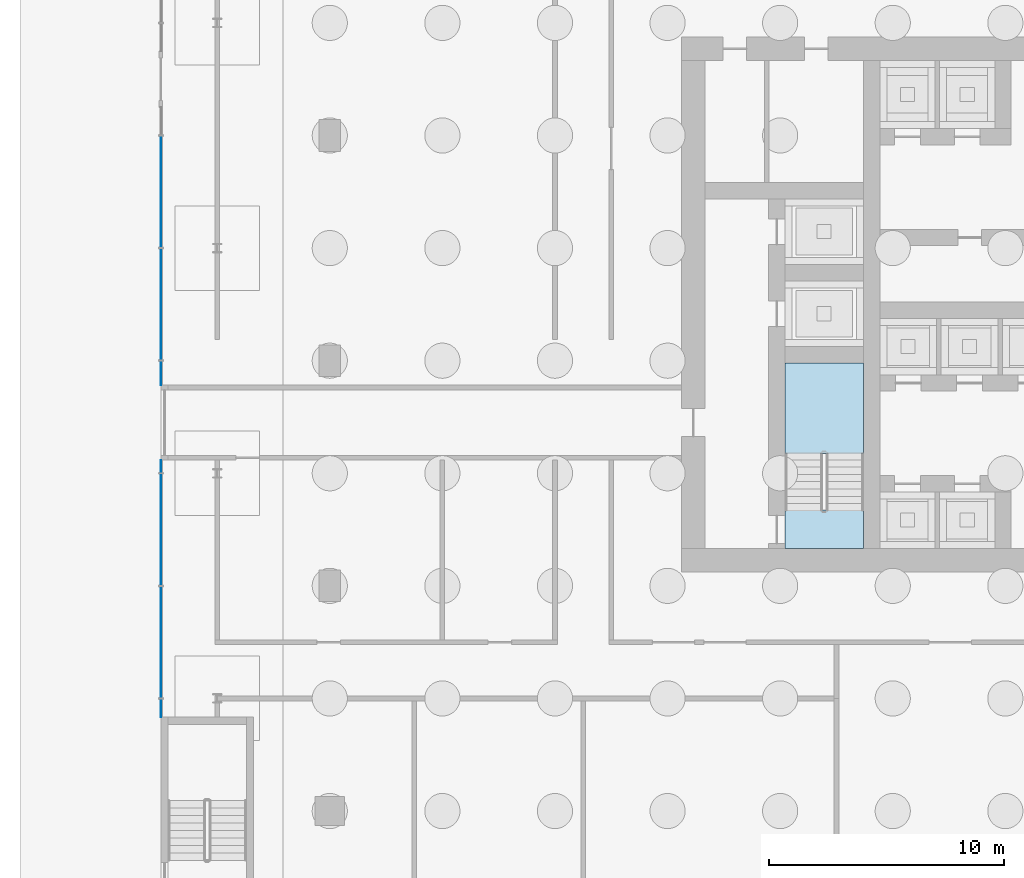
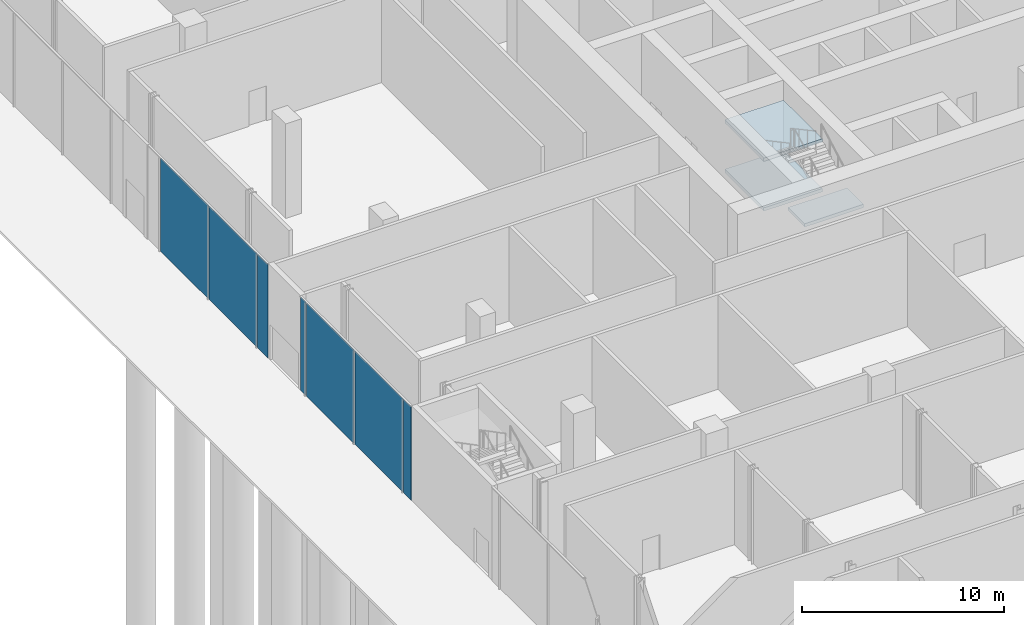
# One storey, part 23 of 44: 7 plates, 3 slabs, 2 elements without a shape of their own.
"""IFC4 building model written with IfcOpenShell, lengths in metres."""

from ifc_helpers import new_model, si_unit, direction, frame, origin, origin_2d, place, context, subcontext, project, spatial, polyline, rectangle, outline, extrude, material, layer, layer_set, type_object, element, aggregate, save


model = new_model("IFC4")

# Units and contexts
model_context = context("Model", 3, precision=1e-05, world=origin(), true_north=direction((0.0, 1.0)))
body_context = subcontext(model_context, "Body", "Model", "MODEL_VIEW")
ifc_project = project(units=[si_unit("LENGTHUNIT", "METRE"), si_unit("AREAUNIT", "SQUARE_METRE"), si_unit("VOLUMEUNIT", "CUBIC_METRE"), si_unit("PLANEANGLEUNIT", "RADIAN"), si_unit("MASSUNIT", "GRAM", prefix="KILO")], contexts=[model_context])

# Site, building, storey
site_placement = place(None, origin())
site = spatial("IfcSite", under=ifc_project, at=site_placement, CompositionType="ELEMENT")
building_placement = place(site_placement, origin())
building = spatial("IfcBuilding", under=site, at=building_placement, Name="Madar Terraces", CompositionType="ELEMENT")
storey_placement = place(building_placement, origin())
storey = spatial("IfcBuildingStorey", under=building, at=storey_placement, Name="L00", CompositionType="ELEMENT", Elevation=0.0)

# Curtain wall, plates
ifc_material_1 = material(Name="Glass, clear low-iron, with black aluminium frame", Category="aluminium")
ifc_layer_1 = layer(ifc_material_1, 0.199951171875)
ifc_layer_set_1 = layer_set([ifc_layer_1], Name="Facade curtain wall, shopfront glazing")
curtain_wall_type = type_object("IfcCurtainWallType", Name="Facade curtain wall, shopfront glazing", PredefinedType="NOTDEFINED", material=ifc_layer_set_1)
curtain_wall_placement = place(storey_placement, origin())
curtain_wall = element("IfcCurtainWall", 1, at=curtain_wall_placement, inside=storey, type_object=curtain_wall_type, Name="Outer skin curtain wall west bay 1", PredefinedType="NOTDEFINED")
ifc_material_2 = material(Name="Glass, ceramic frit dark grey", Category="glass")
ifc_layer_2 = layer(ifc_material_2, 0.028076171875)
ifc_layer_set_2 = layer_set([ifc_layer_2], Name="Facade glass panel 28")
plate_type = type_object("IfcPlateType", Name="Facade glass panel 28", PredefinedType="CURTAIN_PANEL", material=ifc_layer_set_2)
plate_1_placement = place(storey_placement, frame((-7.199951171875, 31.199951171875, 0.0), z_axis=(0.0, 0.0, 1.0), x_axis=(0.0, -1.0, 0.0)))
plate_1 = element("IfcPlate", 2, at=plate_1_placement, type_object=plate_type, Name="Panel 6", PredefinedType="CURTAIN_PANEL", context=body_context, shape_type="SweptSolid", body=[
    extrude(rectangle(XDim=4.739990234375, YDim=0.028076171875, at=origin_2d()), origin(), (0.0, 0.0, 1.0), 5.639892578125),
])
plate_2_placement = place(storey_placement, frame((-7.199951171875, 26.39990234375, 0.0), z_axis=(0.0, 0.0, 1.0), x_axis=(0.0, -1.0, 0.0)))
plate_2 = element("IfcPlate", 3, at=plate_2_placement, type_object=plate_type, Name="Panel 7", PredefinedType="CURTAIN_PANEL", context=body_context, shape_type="SweptSolid", body=[
    extrude(rectangle(XDim=4.739990234375, YDim=0.028076171875, at=origin_2d()), origin(), (0.0, 0.0, 1.0), 5.639892578125),
])
plate_3_placement = place(storey_placement, frame((-7.199951171875, 23.465087890625, 0.0), z_axis=(0.0, 0.0, 1.0), x_axis=(0.0, -1.0, 0.0)))
plate_3 = element("IfcPlate", 4, at=plate_3_placement, type_object=plate_type, Name="Panel 8", PredefinedType="CURTAIN_PANEL", context=body_context, shape_type="SweptSolid", body=[
    extrude(rectangle(XDim=1.010009765625, YDim=0.028076171875, at=origin_2d()), origin(), (0.0, 0.0, 1.0), 5.639892578125),
])
plate_4_placement = place(storey_placement, frame((-7.199951171875, 19.4951171875, 0.0), z_axis=(0.0, 0.0, 1.0), x_axis=(0.0, -1.0, 0.0)))
plate_4 = element("IfcPlate", 5, at=plate_4_placement, type_object=plate_type, Name="Panel 9", PredefinedType="CURTAIN_PANEL", context=body_context, shape_type="SweptSolid", body=[
    extrude(rectangle(XDim=0.530029296875, YDim=0.028076171875, at=origin_2d()), origin(), (0.0, 0.0, 1.0), 5.639892578125),
])
plate_5_placement = place(storey_placement, frame((-7.199951171875, 16.800048828125, 0.0), z_axis=(0.0, 0.0, 1.0), x_axis=(0.0, -1.0, 0.0)))
plate_5 = element("IfcPlate", 6, at=plate_5_placement, type_object=plate_type, Name="Panel 10", PredefinedType="CURTAIN_PANEL", context=body_context, shape_type="SweptSolid", body=[
    extrude(rectangle(XDim=4.739990234375, YDim=0.028076171875, at=origin_2d()), origin(), (0.0, 0.0, 1.0), 5.639892578125),
])
plate_6_placement = place(storey_placement, frame((-7.199951171875, 12.0, 0.0), z_axis=(0.0, 0.0, 1.0), x_axis=(0.0, -1.0, 0.0)))
plate_6 = element("IfcPlate", 7, at=plate_6_placement, type_object=plate_type, Name="Panel 11", PredefinedType="CURTAIN_PANEL", context=body_context, shape_type="SweptSolid", body=[
    extrude(rectangle(XDim=4.739990234375, YDim=0.028076171875, at=origin_2d()), origin(), (0.0, 0.0, 1.0), 5.639892578125),
])
plate_7_placement = place(storey_placement, frame((-7.199951171875, 9.18505859375, 0.0), z_axis=(0.0, 0.0, 1.0), x_axis=(0.0, -1.0, 0.0)))
plate_7 = element("IfcPlate", 8, at=plate_7_placement, type_object=plate_type, Name="Panel 12", PredefinedType="CURTAIN_PANEL", context=body_context, shape_type="SweptSolid", body=[
    extrude(rectangle(XDim=0.77001953125, YDim=0.028076171875, at=origin_2d()), origin(), (0.0, 0.0, 1.0), 5.639892578125),
])
aggregate(curtain_wall, [plate_1, plate_2, plate_3, plate_4, plate_5, plate_6, plate_7])

# Stair, slabs
ifc_material_3 = material(Name="Concrete C50/60", Category="concrete")
stair_type = type_object("IfcStairType", Name="Stair ST1 protected exit", PredefinedType="HALF_TURN_STAIR", material=ifc_material_3)
stair_placement = place(storey_placement, origin())
stair = element("IfcStair", 9, at=stair_placement, inside=storey, type_object=stair_type, Name="L00 Protected Exit Stair ST1", PredefinedType="HALF_TURN_STAIR")
ifc_material_4 = material(Name="Concrete C50/60", Category="concrete")
ifc_layer_3 = layer(ifc_material_4, 0.199951171875)
ifc_layer_set_3 = layer_set([ifc_layer_3], Name="Stair landing 200, top +1.50")
slab_type_1 = type_object("IfcSlabType", Name="Stair landing 200, top +1.50", PredefinedType="LANDING", material=ifc_layer_set_3)
slab_1_placement = place(storey_placement, frame((0.0, 0.0, 1.300048828125)))
slab_1 = element("IfcSlab", 10, at=slab_1_placement, type_object=slab_type_1, Name="ST1 landing 1", PredefinedType="LANDING", context=body_context, shape_type="SweptSolid", body=[
    extrude(outline(polyline([(19.39990234375, 20.050048828125), (22.75, 20.050048828125), (22.75, 23.89990234375), (19.39990234375, 23.89990234375), (19.39990234375, 20.050048828125)])), origin(), (0.0, 0.0, 1.0), 0.199951171875),
])
ifc_material_5 = material(Name="Concrete C50/60", Category="concrete")
ifc_layer_4 = layer(ifc_material_5, 0.199951171875)
ifc_layer_set_4 = layer_set([ifc_layer_4], Name="Stair landing 200, top +3.00")
slab_type_2 = type_object("IfcSlabType", Name="Stair landing 200, top +3.00", PredefinedType="LANDING", material=ifc_layer_set_4)
slab_2_placement = place(storey_placement, frame((0.0, 0.0, 2.800048828125)))
slab_2 = element("IfcSlab", 11, at=slab_2_placement, type_object=slab_type_2, Name="ST1 landing 2", PredefinedType="LANDING", context=body_context, shape_type="SweptSolid", body=[
    extrude(outline(polyline([(19.39990234375, 16.0), (22.75, 16.0), (22.75, 17.6298828125), (19.39990234375, 17.6298828125), (19.39990234375, 16.0)])), origin(), (0.0, 0.0, 1.0), 0.199951171875),
])
ifc_material_6 = material(Name="Concrete C50/60", Category="concrete")
ifc_layer_5 = layer(ifc_material_6, 0.199951171875)
ifc_layer_set_5 = layer_set([ifc_layer_5], Name="Stair landing 200, top +4.50")
slab_type_3 = type_object("IfcSlabType", Name="Stair landing 200, top +4.50", PredefinedType="LANDING", material=ifc_layer_set_5)
slab_3_placement = place(storey_placement, frame((0.0, 0.0, 4.300048828125)))
slab_3 = element("IfcSlab", 12, at=slab_3_placement, type_object=slab_type_3, Name="ST1 landing 3", PredefinedType="LANDING", context=body_context, shape_type="SweptSolid", body=[
    extrude(outline(polyline([(19.39990234375, 20.050048828125), (22.75, 20.050048828125), (22.75, 23.89990234375), (19.39990234375, 23.89990234375), (19.39990234375, 20.050048828125)])), origin(), (0.0, 0.0, 1.0), 0.199951171875),
])
aggregate(stair, [slab_1, slab_2, slab_3])

save(model, "model.ifc")
